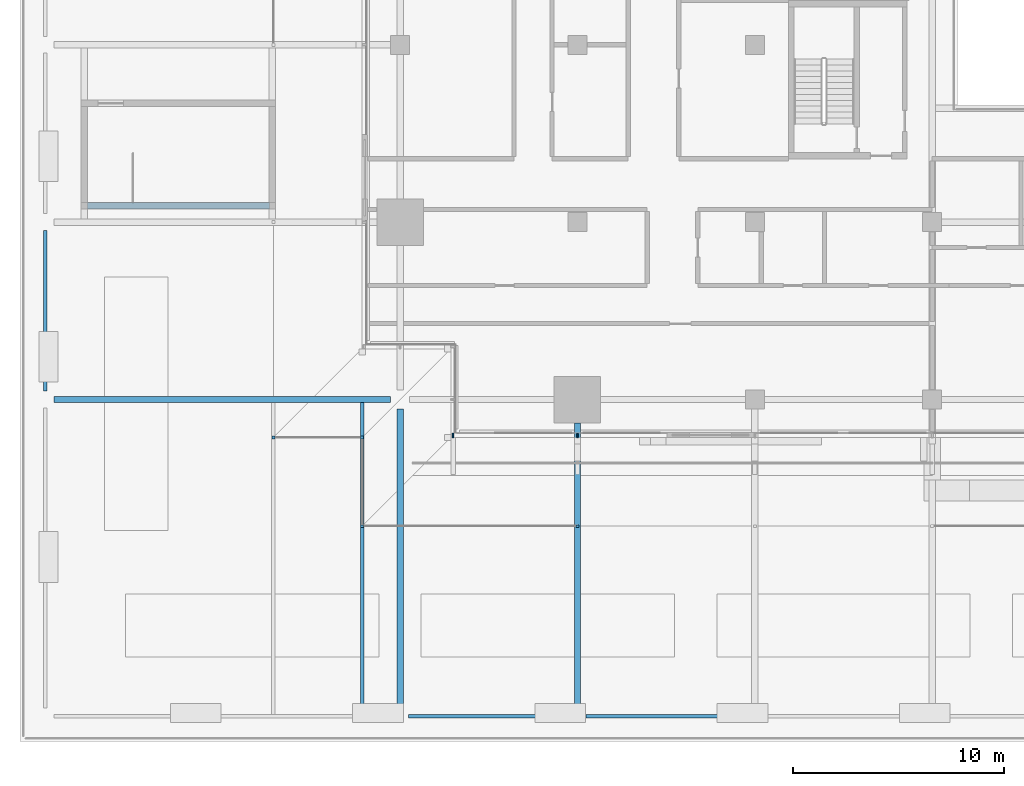
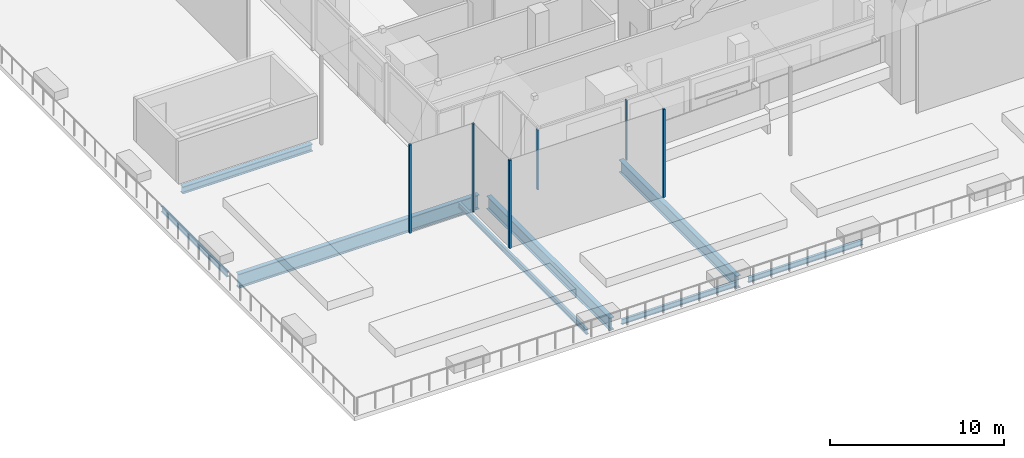
# One storey, part 2 of 60: 8 beams, 6 members, 1 element without a shape of its own.
"""IFC4 building model written with IfcOpenShell, lengths in metres."""

from ifc_helpers import new_model, si_unit, direction, frame, origin, origin_2d, place, context, subcontext, project, spatial, rectangle, i_section, extrude, material, material_profile, profile_set, type_object, element, aggregate, save


model = new_model("IFC4")

# Units and contexts
model_context = context("Model", 3, precision=1e-05, world=origin(), true_north=direction((0.0, 1.0)))
body_context = subcontext(model_context, "Body", "Model", "MODEL_VIEW")
ifc_project = project(units=[si_unit("LENGTHUNIT", "METRE"), si_unit("AREAUNIT", "SQUARE_METRE"), si_unit("VOLUMEUNIT", "CUBIC_METRE"), si_unit("PLANEANGLEUNIT", "RADIAN"), si_unit("MASSUNIT", "GRAM", prefix="KILO")], contexts=[model_context])

# Site, building, storey
site_placement = place(None, origin())
site = spatial("IfcSite", under=ifc_project, at=site_placement, CompositionType="ELEMENT")
building_placement = place(site_placement, origin())
building = spatial("IfcBuilding", under=site, at=building_placement, Name="Saffron Gate Tower", CompositionType="ELEMENT")
storey_placement = place(building_placement, frame((0.0, 0.0, 19.199951171875)))
storey = spatial("IfcBuildingStorey", under=building, at=storey_placement, Name="L03", CompositionType="ELEMENT", Elevation=19.199951171875)

# Beams
ifc_material_1 = material(Name="Structural steel S355", Category="steel")
ifc_material_profile_1 = material_profile(ifc_material_1, i_section(OverallWidth=0.169921875, OverallDepth=0.360107421875, WebThickness=0.008056640625, FlangeThickness=0.0126953125, FilletRadius=0.01806640625, at=origin_2d()))
ifc_profile_set_1 = profile_set([ifc_material_profile_1], Name="Structural steel S355")
beam_type_1 = type_object("IfcBeamType", Name="B1 IPE 360", PredefinedType="BEAM", material=ifc_profile_set_1)
beam_1_placement = place(storey_placement, frame((50.199951171875, 16.800048828125, -0.47998046875), z_axis=(1.0, 0.0, 0.0), x_axis=(0.0, 1.0, 0.0)))
element("IfcBeam", 1, at=beam_1_placement, inside=storey, type_object=beam_type_1, Name="B1 PODIUM EDGE BEAM", PredefinedType="BEAM", context=body_context, shape_type="SweptSolid", body=[
    extrude(i_section(OverallWidth=0.169921875, OverallDepth=0.360107421875, WebThickness=0.008056640625, FlangeThickness=0.0126953125, FilletRadius=0.01806640625, at=origin_2d()), origin(), (0.0, 0.0, 1.0), 7.60009765625),
])
beam_2_placement = place(storey_placement, frame((58.60009765625, 16.800048828125, -0.47998046875), z_axis=(1.0, 0.0, 0.0), x_axis=(0.0, 1.0, 0.0)))
element("IfcBeam", 2, at=beam_2_placement, inside=storey, type_object=beam_type_1, Name="B1 PODIUM EDGE BEAM", PredefinedType="BEAM", context=body_context, shape_type="SweptSolid", body=[
    extrude(i_section(OverallWidth=0.169921875, OverallDepth=0.360107421875, WebThickness=0.008056640625, FlangeThickness=0.0126953125, FilletRadius=0.01806640625, at=origin_2d()), origin(), (0.0, 0.0, 1.0), 7.599853515625),
])
beam_3_placement = place(storey_placement, frame((33.0, 32.199951171875, -0.47998046875), z_axis=(0.0, 1.0, 0.0), x_axis=(-1.0, 0.0, 0.0)))
element("IfcBeam", 3, at=beam_3_placement, inside=storey, type_object=beam_type_1, Name="B1 PODIUM EDGE BEAM", PredefinedType="BEAM", context=body_context, shape_type="SweptSolid", body=[
    extrude(i_section(OverallWidth=0.169921875, OverallDepth=0.360107421875, WebThickness=0.008056640625, FlangeThickness=0.0126953125, FilletRadius=0.01806640625, at=origin_2d()), origin(), (0.0, 0.0, 1.0), 7.60009765625),
])
ifc_material_profile_2 = material_profile(ifc_material_1, i_section(OverallWidth=0.300048828125, OverallDepth=0.889892578125, WebThickness=0.01611328125, FlangeThickness=0.030029296875, FilletRadius=0.030029296875, at=origin_2d()))
ifc_profile_set_2 = profile_set([ifc_material_profile_2], Name="Structural steel S355")
beam_type_2 = type_object("IfcBeamType", Name="B19 HEA 900", PredefinedType="BEAM", material=ifc_profile_set_2)
beam_4_placement = place(storey_placement, frame((49.800048828125, 17.199951171875, -0.744873046875), z_axis=(0.0, 1.0, 0.0), x_axis=(-1.0, 0.0, 0.0)))
element("IfcBeam", 4, at=beam_4_placement, inside=storey, type_object=beam_type_2, Name="B19 PODIUM RING GIRDER", PredefinedType="BEAM", context=body_context, shape_type="SweptSolid", body=[
    extrude(i_section(OverallWidth=0.300048828125, OverallDepth=0.889892578125, WebThickness=0.01611328125, FlangeThickness=0.030029296875, FilletRadius=0.030029296875, at=origin_2d()), origin(), (0.0, 0.0, 1.0), 14.150146484375),
])
beam_5_placement = place(storey_placement, frame((58.199951171875, 17.199951171875, -0.744873046875), z_axis=(0.0, 1.0, 0.0), x_axis=(-1.0, 0.0, 0.0)))
element("IfcBeam", 5, at=beam_5_placement, inside=storey, type_object=beam_type_2, Name="B19 PODIUM RING GIRDER", PredefinedType="BEAM", context=body_context, shape_type="SweptSolid", body=[
    extrude(i_section(OverallWidth=0.300048828125, OverallDepth=0.889892578125, WebThickness=0.01611328125, FlangeThickness=0.030029296875, FilletRadius=0.030029296875, at=origin_2d()), origin(), (0.0, 0.0, 1.0), 13.5),
])
ifc_material_profile_3 = material_profile(ifc_material_1, i_section(OverallWidth=0.300048828125, OverallDepth=0.989990234375, WebThickness=0.0166015625, FlangeThickness=0.031005859375, FilletRadius=0.030029296875, at=origin_2d()))
ifc_profile_set_3 = profile_set([ifc_material_profile_3], Name="Structural steel S355")
beam_type_3 = type_object("IfcBeamType", Name="B21 HEA 1000", PredefinedType="BEAM", material=ifc_profile_set_3)
beam_6_placement = place(storey_placement, frame((33.39990234375, 31.800048828125, -0.794921875), z_axis=(1.0, 0.0, 0.0), x_axis=(0.0, 1.0, 0.0)))
element("IfcBeam", 6, at=beam_6_placement, inside=storey, type_object=beam_type_3, Name="B21 PODIUM RING GIRDER", PredefinedType="BEAM", context=body_context, shape_type="SweptSolid", body=[
    extrude(i_section(OverallWidth=0.300048828125, OverallDepth=0.989990234375, WebThickness=0.0166015625, FlangeThickness=0.031005859375, FilletRadius=0.030029296875, at=origin_2d()), origin(), (0.0, 0.0, 1.0), 15.9501953125),
])
ifc_material_profile_4 = material_profile(ifc_material_1, i_section(OverallWidth=0.300048828125, OverallDepth=0.5, WebThickness=0.014404296875, FlangeThickness=0.028076171875, FilletRadius=0.027099609375, at=origin_2d()))
ifc_profile_set_4 = profile_set([ifc_material_profile_4], Name="Structural steel S355")
beam_type_4 = type_object("IfcBeamType", Name="B9 HEB 500", PredefinedType="BEAM", material=ifc_profile_set_4)
beam_7_placement = place(storey_placement, frame((34.989990234375, 40.97509765625, -0.550048828125), z_axis=(1.0, 0.0, 0.0), x_axis=(0.0, 1.0, 0.0)))
element("IfcBeam", 7, at=beam_7_placement, inside=storey, type_object=beam_type_4, Name="B9 STAIR ENCLOSURE TRIMMER BEAM", PredefinedType="BEAM", context=body_context, shape_type="SweptSolid", body=[
    extrude(i_section(OverallWidth=0.300048828125, OverallDepth=0.5, WebThickness=0.014404296875, FlangeThickness=0.028076171875, FilletRadius=0.027099609375, at=origin_2d()), origin(), (0.0, 0.0, 1.0), 8.6201171875),
])

# Curtain wall, members
ifc_material_2 = material(Name="Aluminium, bronze anodised", Category="aluminium")
curtain_wall_type = type_object("IfcCurtainWallType", Name="CWS6 curtain wall tall storeys", PredefinedType="NOTDEFINED", material=ifc_material_2)
curtain_wall_placement = place(storey_placement, origin())
curtain_wall = element("IfcCurtainWall", 8, at=curtain_wall_placement, inside=storey, type_object=curtain_wall_type, Name="CWS6 run 1", PredefinedType="NOTDEFINED")
ifc_material_profile_5 = material_profile(ifc_material_2, rectangle(XDim=0.199951171875, YDim=0.080078125, at=origin_2d()))
ifc_profile_set_5 = profile_set([ifc_material_profile_5], Name="Aluminium, bronze anodised")
member_type_1 = type_object("IfcMemberType", Name="CWS6 mullion 80x200", PredefinedType="MULLION", material=ifc_profile_set_5)
member_1_placement = place(storey_placement, frame((52.300048828125, 30.10009765625, 0.0), z_axis=(0.0, 0.0, 1.0), x_axis=(0.0, 1.0, 0.0)))
member_1 = element("IfcMember", 9, at=member_1_placement, type_object=member_type_1, Name="CWS6 mullion 1", PredefinedType="MULLION", context=body_context, shape_type="SweptSolid", body=[
    extrude(rectangle(XDim=0.199951171875, YDim=0.080078125, at=origin_2d()), origin(), (0.0, 0.0, 1.0), 4.199951171875),
])
member_2_placement = place(storey_placement, frame((58.199951171875, 30.10009765625, 0.0), z_axis=(0.0, 0.0, 1.0), x_axis=(0.0, 1.0, 0.0)))
member_2 = element("IfcMember", 10, at=member_2_placement, type_object=member_type_1, Name="CWS6 mullion 2", PredefinedType="MULLION", context=body_context, shape_type="SweptSolid", body=[
    extrude(rectangle(XDim=0.199951171875, YDim=0.080078125, at=origin_2d()), origin(), (0.0, 0.0, 1.0), 4.199951171875),
])
aggregate(curtain_wall, [member_1, member_2])

# Members
ifc_material_profile_6 = material_profile(ifc_material_1, rectangle(XDim=0.139892578125, YDim=0.139892578125, at=origin_2d()))
ifc_profile_set_6 = profile_set([ifc_material_profile_6], Name="Structural steel S355")
member_type_2 = type_object("IfcMemberType", Name="HL1 hall post", PredefinedType="POST", material=ifc_profile_set_6)
for number, where, z_axis, x_axis, name in (
    (11, (43.800048828125, 30.0, 0.0), (0.0, 0.0, 1.0), (1.0, 0.0, 0.0), "HALL POST"),
    (12, (48.0, 25.800048828125, 0.0), (0.0, 0.0, 1.0), (1.0, 0.0, 0.0), "HALL POST"),
    (13, (48.0, 30.0, 0.0), (0.0, 0.0, 1.0), (1.0, 0.0, 0.0), "HALL POST"),
    (14, (58.199951171875, 25.800048828125, 0.0), (0.0, 0.0, 1.0), (1.0, 0.0, 0.0), "HALL POST"),
):
    element("IfcMember", number, at=place(storey_placement, frame(where, z_axis=z_axis, x_axis=x_axis)), inside=storey, type_object=member_type_2, Name=name, PredefinedType="POST", context=body_context, shape_type="SweptSolid", body=[
        extrude(rectangle(XDim=0.139892578125, YDim=0.139892578125, at=origin_2d()), origin(), (0.0, 0.0, 1.0), 6.18994140625),
    ])

# Beam
ifc_material_profile_7 = material_profile(ifc_material_1, i_section(OverallWidth=0.169921875, OverallDepth=0.360107421875, WebThickness=0.008056640625, FlangeThickness=0.0126953125, FilletRadius=0.01806640625, at=origin_2d()))
ifc_profile_set_7 = profile_set([ifc_material_profile_7], Name="Structural steel S355")
beam_type_5 = type_object("IfcBeamType", Name="HL5 hall kerb beam", PredefinedType="BEAM", material=ifc_profile_set_7)
beam_8_placement = place(storey_placement, frame((48.0, 16.885009765625, -0.47998046875), z_axis=(0.0, 1.0, 0.0), x_axis=(-1.0, 0.0, 0.0)))
element("IfcBeam", 15, at=beam_8_placement, inside=storey, type_object=beam_type_5, Name="HALL KERB BEAM", PredefinedType="BEAM", context=body_context, shape_type="SweptSolid", body=[
    extrude(i_section(OverallWidth=0.169921875, OverallDepth=0.360107421875, WebThickness=0.008056640625, FlangeThickness=0.0126953125, FilletRadius=0.01806640625, at=origin_2d()), origin(), (0.0, 0.0, 1.0), 14.764892578125),
])

save(model, "model.ifc")
